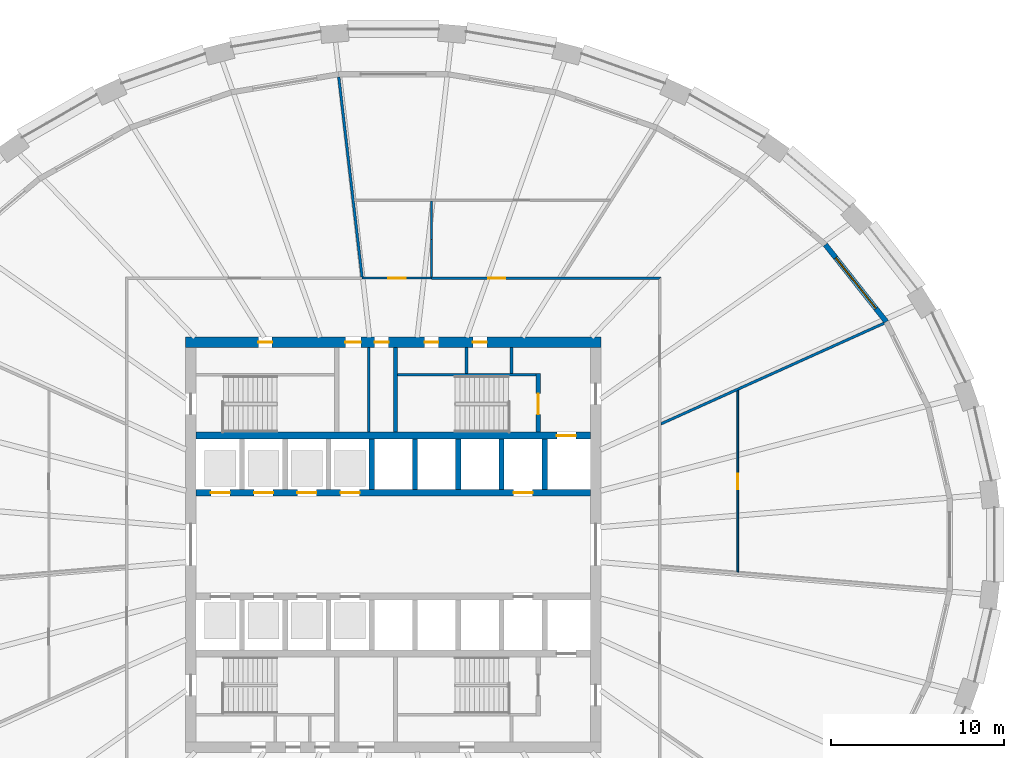
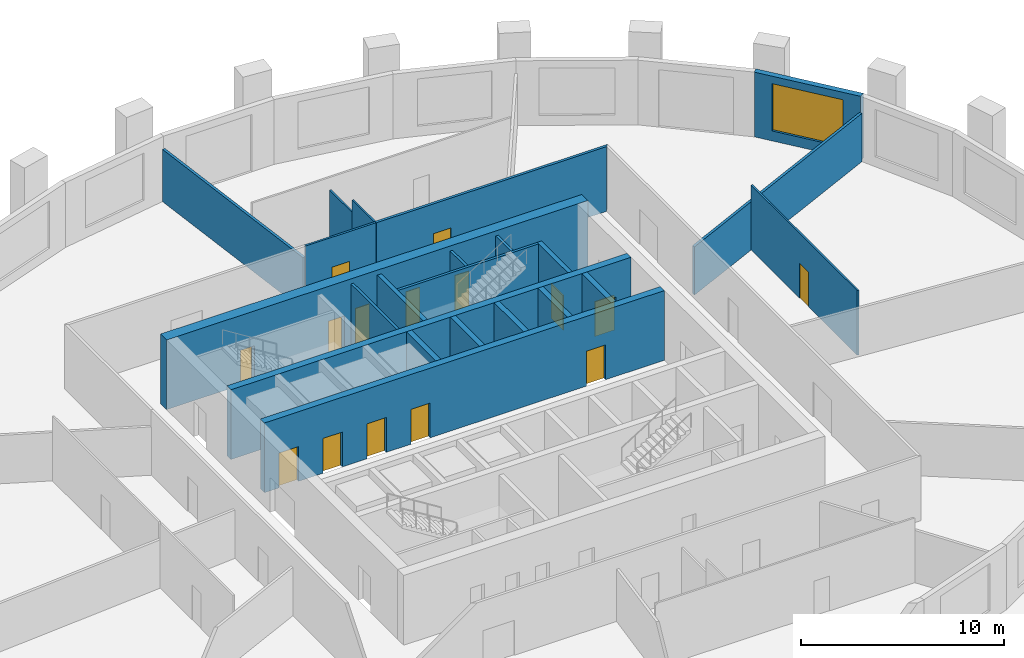
# One storey, part 6 of 10: 22 walls, 15 doors, 1 window, 16 openings.
"""IFC4 building model written with IfcOpenShell, lengths in metres."""

from ifc_helpers import new_model, si_unit, direction, frame, frame_2d, origin, place, context, subcontext, project, spatial, polyline, rectangle, outline, extrude, material, layer, layer_set, type_object, element, fill, save


model = new_model("IFC4")

# Units and contexts
model_context = context("Model", 3, precision=1e-05, world=origin(), true_north=direction((0.0, 1.0)))
body_context = subcontext(model_context, "Body", "Model", "MODEL_VIEW")
ifc_project = project(units=[si_unit("LENGTHUNIT", "METRE"), si_unit("AREAUNIT", "SQUARE_METRE"), si_unit("VOLUMEUNIT", "CUBIC_METRE"), si_unit("PLANEANGLEUNIT", "RADIAN"), si_unit("MASSUNIT", "GRAM", prefix="KILO")], contexts=[model_context])

# Site, building, storey
site_placement = place(None, origin())
site = spatial("IfcSite", under=ifc_project, at=site_placement, CompositionType="ELEMENT")
building_placement = place(site_placement, origin())
building = spatial("IfcBuilding", under=site, at=building_placement, Name="Halqa Exchange Tower", CompositionType="ELEMENT")
storey_placement = place(building_placement, frame((0.0, 0.0, 125.5)))
storey = spatial("IfcBuildingStorey", under=building, at=storey_placement, Name="L28", CompositionType="ELEMENT", Elevation=125.5)

# Wall
ifc_material_1 = material(Name="Fire-rated gypsum board")
ifc_layer_1 = layer(ifc_material_1, 0.14990234375)
ifc_layer_set_1 = layer_set([ifc_layer_1], Name="Fire-rated gypsum board")
wall_type_1 = type_object("IfcWallType", Name="Fire partition EI 60 150", PredefinedType="PARTITIONING", material=ifc_layer_set_1)
wall_1_placement = place(storey_placement, frame((-3.15478515625, 27.019287109375, 0.0), z_axis=(0.0, 0.0, 1.0), x_axis=(0.11582313458, -0.993269853311, 0.0)))
element("IfcWall", 1, at=wall_1_placement, inside=storey, type_object=wall_type_1, Name="L28-PWL-010", PredefinedType="PARTITIONING", context=body_context, shape_type="SweptSolid", body=[
    extrude(outline(polyline([(0.0, -0.074951171875), (1.935546875, -0.074951171875), (3.871337890625, -0.074951171875), (5.806884765625, -0.074951171875), (7.742431640625, -0.074951171875), (9.67822265625, -0.074951171875), (11.61376953125, -0.074951171875), (11.62353515625, 0.008544921875), (11.638427734375, 0.0068359375), (11.64599609375, 0.072021484375), (11.64599609375, 0.074951171875), (9.70556640625, 0.074951171875), (7.765380859375, 0.074951171875), (5.824951171875, 0.074951171875), (3.884521484375, 0.074951171875), (1.9443359375, 0.074951171875), (0.00390625, 0.074951171875), (0.0, 0.04150390625), (0.0, -0.074951171875)])), origin(), (0.0, 0.0, 1.0), 3.14697265625),
])

# Wall, opening, door
wall_2_placement = place(storey_placement, frame((2.2099609375, 15.39990234375, 0.0), z_axis=(0.0, 0.0, 1.0), x_axis=(1.0, 0.0, 0.0)))
wall_2 = element("IfcWall", 2, at=wall_2_placement, inside=storey, type_object=wall_type_1, Name="L28-PWL-017", PredefinedType="PARTITIONING", context=body_context, shape_type="SweptSolid", body=[
    extrude(outline(polyline([(0.0, -0.074951171875), (1.87353515625, -0.074951171875), (3.7470703125, -0.074951171875), (5.62060546875, -0.074951171875), (7.494384765625, -0.074951171875), (9.367919921875, -0.074951171875), (11.241455078125, -0.074951171875), (13.114990234375, -0.074951171875), (13.264892578125, 0.074951171875), (11.369873046875, 0.074951171875), (9.474853515625, 0.074951171875), (7.579833984375, 0.074951171875), (5.68505859375, 0.074951171875), (3.7900390625, 0.074951171875), (1.89501953125, 0.074951171875), (0.0, 0.074951171875), (0.0, -0.074951171875)])), origin(), (0.0, 0.0, 1.0), 3.89990234375),
])
opening_1_placement = place(wall_2_placement, frame((3.264892578125, 0.0, 0.0)))
opening_1 = element("IfcOpeningElement", 3, at=opening_1_placement, cuts=wall_2, Name="Opening 08-05", PredefinedType="OPENING", context=body_context, shape_type="SweptSolid", body=[
    extrude(rectangle(XDim=1.0, YDim=2.10009765625, at=frame_2d((0.5, 1.050048828125))), frame((0.0, 0.0869140625, 0.0), z_axis=(0.0, -1.0, 0.0), x_axis=(1.0, 0.0, 0.0)), (0.0, 0.0, 1.0), 0.173828125),
])
ifc_material_2 = material(Name="Steel fire door leaf", Category="steel")
door_type_1 = type_object("IfcDoorType", Name="Fire door FD30S 1000 x 2100", OperationType="SINGLE_SWING_LEFT", PredefinedType="DOOR", material=ifc_material_2)
door_1_placement = place(opening_1_placement, origin())
door_1 = element("IfcDoor", 4, at=door_1_placement, inside=storey, type_object=door_type_1, Name="L28-IDR-005", OperationType="SINGLE_SWING_RIGHT", OverallHeight=2.10009765625, OverallWidth=1.0, PredefinedType="DOOR", context=body_context, shape_type="SweptSolid", body=[
    extrude(rectangle(XDim=1.0, YDim=2.10009765625, at=frame_2d((0.5, 1.050048828125))), frame((0.0, 0.02490234375, 0.0), z_axis=(0.0, -1.0, 0.0), x_axis=(1.0, 0.0, 0.0)), (0.0, 0.0, 1.0), 0.050048828125),
])
fill(opening_1, door_1)

# Wall
wall_3_placement = place(storey_placement, frame((15.444091796875, 6.969970703125, 0.0), z_axis=(0.0, 0.0, 1.0), x_axis=(0.911543819319, 0.411202949237, 0.0)))
element("IfcWall", 5, at=wall_3_placement, inside=storey, type_object=wall_type_1, Name="L28-PWL-023", PredefinedType="PARTITIONING", context=body_context, shape_type="SweptSolid", body=[
    extrude(outline(polyline([(0.0, -0.074951171875), (1.599853515625, -0.074951171875), (3.19970703125, -0.074951171875), (4.799560546875, -0.074951171875), (4.800537109375, -0.072998046875), (4.804931640625, -0.074951171875), (6.67724609375, -0.074951171875), (8.54931640625, -0.074951171875), (10.42138671875, -0.074951171875), (12.29345703125, -0.074951171875), (14.16552734375, -0.074951171875), (14.16552734375, -0.062744140625), (14.163330078125, 0.00732421875), (14.146484375, 0.074951171875), (12.386474609375, 0.074951171875), (10.626708984375, 0.074951171875), (8.866943359375, 0.074951171875), (7.10693359375, 0.074951171875), (5.34716796875, 0.074951171875), (3.58740234375, 0.074951171875), (1.82763671875, 0.074951171875), (0.067626953125, 0.074951171875), (0.0, -0.074951171875)])), origin(), (0.0, 0.0, 1.0), 2.909912109375),
])

# Wall, opening, door
ifc_material_3 = material(Name="Fire-rated glazing", Category="glass")
ifc_layer_2 = layer(ifc_material_3, 0.1201171875)
ifc_layer_set_2 = layer_set([ifc_layer_2], Name="Fire-rated glazing")
wall_type_2 = type_object("IfcWallType", Name="Glazed fire partition EI 60 120", PredefinedType="PARTITIONING", material=ifc_layer_set_2)
wall_4_placement = place(storey_placement, frame((-1.800048828125, 15.39990234375, 0.0), z_axis=(0.0, 0.0, 1.0), x_axis=(1.0, 0.0, 0.0)))
wall_4 = element("IfcWall", 6, at=wall_4_placement, inside=storey, type_object=wall_type_2, Name="L28-PWL-014", PredefinedType="PARTITIONING", context=body_context, shape_type="SweptSolid", body=[
    extrude(rectangle(XDim=4.010009765625, YDim=0.1201171875, at=frame_2d((2.0048828125, 0.0))), origin(), (0.0, 0.0, 1.0), 3.89990234375),
])
opening_2_placement = place(wall_4_placement, frame((1.5048828125, 0.0, 0.0)))
opening_2 = element("IfcOpeningElement", 7, at=opening_2_placement, cuts=wall_4, Name="Opening 08-06", PredefinedType="OPENING", context=body_context, shape_type="SweptSolid", body=[
    extrude(rectangle(XDim=1.0, YDim=2.10009765625, at=frame_2d((0.5, 1.050048828125))), frame((0.0, 0.072021484375, 0.0), z_axis=(0.0, -1.0, 0.0), x_axis=(1.0, 0.0, 0.0)), (0.0, 0.0, 1.0), 0.14404296875),
])
door_2_placement = place(opening_2_placement, origin())
door_2 = element("IfcDoor", 8, at=door_2_placement, inside=storey, type_object=door_type_1, Name="L28-IDR-006", OperationType="SINGLE_SWING_RIGHT", OverallHeight=2.10009765625, OverallWidth=1.0, PredefinedType="DOOR", context=body_context, shape_type="SweptSolid", body=[
    extrude(rectangle(XDim=1.0, YDim=2.10009765625, at=frame_2d((0.5, 1.050048828125))), frame((0.0, 0.02490234375, 0.0), z_axis=(0.0, -1.0, 0.0), x_axis=(1.0, 0.0, 0.0)), (0.0, 0.0, 1.0), 0.050048828125),
])
fill(opening_2, door_2)

# Wall
ifc_material_4 = material(Name="Gypsum board")
ifc_layer_3 = layer(ifc_material_4, 0.10009765625)
ifc_layer_set_3 = layer_set([ifc_layer_3], Name="Gypsum board")
wall_type_3 = type_object("IfcWallType", Name="Partition 100 gypsum", PredefinedType="PARTITIONING", material=ifc_layer_set_3)
wall_5_placement = place(storey_placement, frame((2.2099609375, 15.46044921875, 0.0), z_axis=(0.0, 0.0, 1.0), x_axis=(0.0, 1.0, 0.0)))
element("IfcWall", 9, at=wall_5_placement, inside=storey, type_object=wall_type_3, Name="L28-PWL-016", PredefinedType="PARTITIONING", context=body_context, shape_type="SweptSolid", body=[
    extrude(outline(polyline([(0.0, 0.050048828125), (0.0, 0.0), (0.0146484375, 0.0), (0.0146484375, -0.050048828125), (2.15673828125, -0.050048828125), (2.15673828125, 0.050048828125), (0.0, 0.050048828125)])), origin(), (0.0, 0.0, 1.0), 3.89990234375),
])

# Wall, opening, door
wall_6_placement = place(storey_placement, frame((19.89990234375, 8.919921875, 0.0), z_axis=(0.0, 0.0, 1.0), x_axis=(0.0, -1.0, 0.0)))
wall_6 = element("IfcWall", 10, at=wall_6_placement, inside=storey, type_object=wall_type_3, Name="L28-PWL-024", PredefinedType="PARTITIONING", context=body_context, shape_type="SweptSolid", body=[
    extrude(outline(polyline([(0.044921875, -0.050048828125), (1.78662109375, -0.050048828125), (3.528564453125, -0.050048828125), (5.2705078125, -0.050048828125), (7.012451171875, -0.050048828125), (8.75439453125, -0.050048828125), (10.49609375, -0.050048828125), (10.50439453125, 0.048095703125), (10.50439453125, 0.050048828125), (8.753662109375, 0.050048828125), (7.0029296875, 0.050048828125), (5.252197265625, 0.050048828125), (3.50146484375, 0.050048828125), (1.750732421875, 0.050048828125), (0.0, 0.050048828125), (0.0, 0.04931640625), (0.044921875, -0.050048828125)])), origin(), (0.0, 0.0, 1.0), 3.89990234375),
])
opening_3_placement = place(wall_6_placement, frame((4.81005859375, 0.0, 0.0)))
opening_3 = element("IfcOpeningElement", 11, at=opening_3_placement, cuts=wall_6, Name="Opening 08-13", PredefinedType="OPENING", context=body_context, shape_type="SweptSolid", body=[
    extrude(rectangle(XDim=0.89990234375, YDim=2.10009765625, at=frame_2d((0.449951171875, 1.050048828125))), frame((0.0, 0.06201171875, 0.0), z_axis=(0.0, -1.0, 0.0), x_axis=(1.0, 0.0, 0.0)), (0.0, 0.0, 1.0), 0.1240234375),
])
ifc_material_5 = material(Name="Timber door leaf", Category="wood")
door_type_2 = type_object("IfcDoorType", Name="Door 900 x 2100", OperationType="SINGLE_SWING_LEFT", PredefinedType="DOOR", material=ifc_material_5)
door_3_placement = place(opening_3_placement, frame((0.89990234375, 0.0, 0.0), z_axis=(0.0, 0.0, 1.0), x_axis=(-1.0, 0.0, 0.0)))
door_3 = element("IfcDoor", 12, at=door_3_placement, inside=storey, type_object=door_type_2, Name="L28-IDR-013", OperationType="SINGLE_SWING_LEFT", OverallHeight=2.10009765625, OverallWidth=0.89990234375, PredefinedType="DOOR", context=body_context, shape_type="SweptSolid", body=[
    extrude(rectangle(XDim=0.89990234375, YDim=2.10009765625, at=frame_2d((0.449951171875, 1.050048828125))), frame((0.0, 0.02490234375, 0.0), z_axis=(0.0, -1.0, 0.0), x_axis=(1.0, 0.0, 0.0)), (0.0, 0.0, 1.0), 0.050048828125),
])
fill(opening_3, door_3)

# Walls
wall_7_placement = place(storey_placement, frame((2.2099609375, 17.6171875, 0.0), z_axis=(0.0, 0.0, 1.0), x_axis=(0.0, 1.0, 0.0)))
element("IfcWall", 13, at=wall_7_placement, inside=storey, type_object=wall_type_3, Name="L28-PWL-026", PredefinedType="PARTITIONING", context=body_context, shape_type="SweptSolid", body=[
    extrude(outline(polyline([(0.0, -0.050048828125), (2.23291015625, -0.050048828125), (2.23291015625, 0.050048828125), (0.0, 0.050048828125), (0.0, -0.050048828125)])), origin(), (0.0, 0.0, 1.0), 3.14697265625),
])
ifc_layer_4 = layer(ifc_material_4, 0.14990234375)
ifc_layer_set_4 = layer_set([ifc_layer_4], Name="Gypsum board")
wall_type_4 = type_object("IfcWallType", Name="Penthouse riser wall 150 gypsum", PredefinedType="PARTITIONING", material=ifc_layer_set_4)
wall_8_placement = place(storey_placement, frame((-1.425048828125, 6.5, 0.0), z_axis=(0.0, 0.0, 1.0), x_axis=(0.0, 1.0, 0.0)))
element("IfcWall", 14, at=wall_8_placement, inside=storey, type_object=wall_type_4, Name="Partition W1.425 N", PredefinedType="PARTITIONING", context=body_context, shape_type="SweptSolid", body=[
    extrude(rectangle(XDim=4.89990234375, YDim=0.14990234375, at=frame_2d((2.449951171875, 0.0))), origin(), (0.0, 0.0, 1.0), 3.89990234375),
])
for number, where, z_axis, x_axis, name in (
    (15, (4.22509765625, 9.89990234375, 0.0), (0.0, 0.0, 1.0), (0.0, 1.0, 0.0), "Partition E4.225 N"),
    (16, (6.824951171875, 9.89990234375, 0.0), (0.0, 0.0, 1.0), (0.0, 1.0, 0.0), "Firefighting lobby west wall N"),
):
    element("IfcWall", number, at=place(storey_placement, frame(where, z_axis=z_axis, x_axis=x_axis)), inside=storey, type_object=wall_type_4, Name=name, PredefinedType="PARTITIONING", context=body_context, shape_type="SweptSolid", body=[
        extrude(rectangle(XDim=1.5, YDim=0.14990234375, at=frame_2d((0.75, 0.0))), origin(), (0.0, 0.0, 1.0), 3.89990234375),
    ])
ifc_material_6 = material(Name="Concrete C60/75", Category="concrete")
ifc_layer_5 = layer(ifc_material_6, 0.300048828125)
ifc_layer_set_5 = layer_set([ifc_layer_5], Name="Concrete C60/75")
wall_type_5 = type_object("IfcWallType", Name="RC core wall 300", PredefinedType="SHEAR", material=ifc_layer_set_5)
for number, where, z_axis, x_axis, name in (
    (17, (-1.25, 3.199951171875, 0.0), (0.0, 0.0, 1.0), (0.0, 1.0, 0.0), "Shaft divider N4"),
    (18, (1.25, 3.199951171875, 0.0), (0.0, 0.0, 1.0), (0.0, 1.0, 0.0), "Shaft divider N5"),
    (19, (3.75, 3.199951171875, 0.0), (0.0, 0.0, 1.0), (0.0, 1.0, 0.0), "Shaft divider N6"),
    (20, (6.25, 3.199951171875, 0.0), (0.0, 0.0, 1.0), (0.0, 1.0, 0.0), "Shaft divider N7"),
    (21, (8.75, 3.199951171875, 0.0), (0.0, 0.0, 1.0), (0.0, 1.0, 0.0), "Shaft divider N8"),
):
    element("IfcWall", number, at=place(storey_placement, frame(where, z_axis=z_axis, x_axis=x_axis)), inside=storey, type_object=wall_type_5, Name=name, PredefinedType="SHEAR", context=body_context, shape_type="SweptSolid", body=[
        extrude(rectangle(XDim=2.900146484375, YDim=0.300048828125, at=frame_2d((1.4501953125, 0.0))), origin(), (0.0, 0.0, 1.0), 4.199951171875),
    ])

# Wall, openings, doors
ifc_material_7 = material(Name="Concrete C70/85", Category="concrete")
ifc_layer_6 = layer(ifc_material_7, 0.39990234375)
ifc_layer_set_6 = layer_set([ifc_layer_6], Name="Concrete C70/85")
wall_type_6 = type_object("IfcWallType", Name="RC core wall 400 C70/85", PredefinedType="SHEAR", material=ifc_layer_set_6)
wall_9_placement = place(storey_placement, frame((-11.39990234375, 3.0, 0.0), z_axis=(0.0, 0.0, 1.0), x_axis=(1.0, 0.0, 0.0)))
wall_9 = element("IfcWall", 22, at=wall_9_placement, inside=storey, type_object=wall_type_6, Name="Lift row front wall N", PredefinedType="SHEAR", context=body_context, shape_type="SweptSolid", body=[
    extrude(rectangle(XDim=22.7998046875, YDim=0.39990234375, at=frame_2d((11.39990234375, 0.0))), origin(), (0.0, 0.0, 1.0), 4.199951171875),
])
opening_4_placement = place(wall_9_placement, frame((0.85009765625, 0.0, 0.0)))
opening_4 = element("IfcOpeningElement", 23, at=opening_4_placement, cuts=wall_9, Name="Opening LD-LR1-T08", PredefinedType="OPENING", context=body_context, shape_type="SweptSolid", body=[
    extrude(rectangle(XDim=1.10009765625, YDim=2.10009765625, at=frame_2d((0.550048828125, 1.050048828125))), frame((0.0, 0.2119140625, 0.0), z_axis=(0.0, -1.0, 0.0), x_axis=(1.0, 0.0, 0.0)), (0.0, 0.0, 1.0), 0.423828125),
])
opening_5_placement = place(wall_9_placement, frame((3.35009765625, 0.0, 0.0)))
opening_5 = element("IfcOpeningElement", 24, at=opening_5_placement, cuts=wall_9, Name="Opening LD-LR2-T08", PredefinedType="OPENING", context=body_context, shape_type="SweptSolid", body=[
    extrude(rectangle(XDim=1.10009765625, YDim=2.10009765625, at=frame_2d((0.550048828125, 1.050048828125))), frame((0.0, 0.2119140625, 0.0), z_axis=(0.0, -1.0, 0.0), x_axis=(1.0, 0.0, 0.0)), (0.0, 0.0, 1.0), 0.423828125),
])
opening_6_placement = place(wall_9_placement, frame((5.85009765625, 0.0, 0.0)))
opening_6 = element("IfcOpeningElement", 25, at=opening_6_placement, cuts=wall_9, Name="Opening LD-LR3-T08", PredefinedType="OPENING", context=body_context, shape_type="SweptSolid", body=[
    extrude(rectangle(XDim=1.10009765625, YDim=2.10009765625, at=frame_2d((0.550048828125, 1.050048828125))), frame((0.0, 0.2119140625, 0.0), z_axis=(0.0, -1.0, 0.0), x_axis=(1.0, 0.0, 0.0)), (0.0, 0.0, 1.0), 0.423828125),
])
opening_7_placement = place(wall_9_placement, frame((8.35009765625, 0.0, 0.0)))
opening_7 = element("IfcOpeningElement", 26, at=opening_7_placement, cuts=wall_9, Name="Opening LD-LR4-T08", PredefinedType="OPENING", context=body_context, shape_type="SweptSolid", body=[
    extrude(rectangle(XDim=1.10009765625, YDim=2.10009765625, at=frame_2d((0.550048828125, 1.050048828125))), frame((0.0, 0.2119140625, 0.0), z_axis=(0.0, -1.0, 0.0), x_axis=(1.0, 0.0, 0.0)), (0.0, 0.0, 1.0), 0.423828125),
])
opening_8_placement = place(wall_9_placement, frame((18.35009765625, 0.0, 0.0)))
opening_8 = element("IfcOpeningElement", 27, at=opening_8_placement, cuts=wall_9, Name="Opening LD-SV1-T08", PredefinedType="OPENING", context=body_context, shape_type="SweptSolid", body=[
    extrude(rectangle(XDim=1.10009765625, YDim=2.10009765625, at=frame_2d((0.550048828125, 1.050048828125))), frame((0.0, 0.2119140625, 0.0), z_axis=(0.0, -1.0, 0.0), x_axis=(1.0, 0.0, 0.0)), (0.0, 0.0, 1.0), 0.423828125),
])
ifc_material_8 = material(Name="Stainless steel", Category="steel")
door_type_3 = type_object("IfcDoorType", Name="Lift landing door 1100 x 2100", OperationType="SLIDING_TO_LEFT", PredefinedType="DOOR", material=ifc_material_8)
door_4_placement = place(opening_4_placement, origin())
door_4 = element("IfcDoor", 28, at=door_4_placement, inside=storey, type_object=door_type_3, Name="Lift landing door LR1", OperationType="SLIDING_TO_LEFT", OverallHeight=2.10009765625, OverallWidth=1.10009765625, PredefinedType="DOOR", context=body_context, shape_type="SweptSolid", body=[
    extrude(rectangle(XDim=1.10009765625, YDim=2.10009765625, at=frame_2d((0.550048828125, 1.050048828125))), frame((0.0, 0.02490234375, 0.0), z_axis=(0.0, -1.0, 0.0), x_axis=(1.0, 0.0, 0.0)), (0.0, 0.0, 1.0), 0.050048828125),
])
fill(opening_4, door_4)
door_5_placement = place(opening_5_placement, origin())
door_5 = element("IfcDoor", 29, at=door_5_placement, inside=storey, type_object=door_type_3, Name="Lift landing door LR2", OperationType="SLIDING_TO_LEFT", OverallHeight=2.10009765625, OverallWidth=1.10009765625, PredefinedType="DOOR", context=body_context, shape_type="SweptSolid", body=[
    extrude(rectangle(XDim=1.10009765625, YDim=2.10009765625, at=frame_2d((0.550048828125, 1.050048828125))), frame((0.0, 0.02490234375, 0.0), z_axis=(0.0, -1.0, 0.0), x_axis=(1.0, 0.0, 0.0)), (0.0, 0.0, 1.0), 0.050048828125),
])
fill(opening_5, door_5)
door_6_placement = place(opening_6_placement, origin())
door_6 = element("IfcDoor", 30, at=door_6_placement, inside=storey, type_object=door_type_3, Name="Lift landing door LR3", OperationType="SLIDING_TO_LEFT", OverallHeight=2.10009765625, OverallWidth=1.10009765625, PredefinedType="DOOR", context=body_context, shape_type="SweptSolid", body=[
    extrude(rectangle(XDim=1.10009765625, YDim=2.10009765625, at=frame_2d((0.550048828125, 1.050048828125))), frame((0.0, 0.02490234375, 0.0), z_axis=(0.0, -1.0, 0.0), x_axis=(1.0, 0.0, 0.0)), (0.0, 0.0, 1.0), 0.050048828125),
])
fill(opening_6, door_6)
door_7_placement = place(opening_7_placement, origin())
door_7 = element("IfcDoor", 31, at=door_7_placement, inside=storey, type_object=door_type_3, Name="Lift landing door LR4", OperationType="SLIDING_TO_LEFT", OverallHeight=2.10009765625, OverallWidth=1.10009765625, PredefinedType="DOOR", context=body_context, shape_type="SweptSolid", body=[
    extrude(rectangle(XDim=1.10009765625, YDim=2.10009765625, at=frame_2d((0.550048828125, 1.050048828125))), frame((0.0, 0.02490234375, 0.0), z_axis=(0.0, -1.0, 0.0), x_axis=(1.0, 0.0, 0.0)), (0.0, 0.0, 1.0), 0.050048828125),
])
fill(opening_7, door_7)
door_8_placement = place(opening_8_placement, origin())
door_8 = element("IfcDoor", 32, at=door_8_placement, inside=storey, type_object=door_type_3, Name="Lift landing door SV1", OperationType="SLIDING_TO_LEFT", OverallHeight=2.10009765625, OverallWidth=1.10009765625, PredefinedType="DOOR", context=body_context, shape_type="SweptSolid", body=[
    extrude(rectangle(XDim=1.10009765625, YDim=2.10009765625, at=frame_2d((0.550048828125, 1.050048828125))), frame((0.0, 0.02490234375, 0.0), z_axis=(0.0, -1.0, 0.0), x_axis=(1.0, 0.0, 0.0)), (0.0, 0.0, 1.0), 0.050048828125),
])
fill(opening_8, door_8)

# Wall, opening, door
wall_10_placement = place(storey_placement, frame((-11.39990234375, 6.300048828125, 0.0), z_axis=(0.0, 0.0, 1.0), x_axis=(1.0, 0.0, 0.0)))
wall_10 = element("IfcWall", 33, at=wall_10_placement, inside=storey, type_object=wall_type_6, Name="Lift row back wall N", PredefinedType="SHEAR", context=body_context, shape_type="SweptSolid", body=[
    extrude(rectangle(XDim=22.7998046875, YDim=0.39990234375, at=frame_2d((11.39990234375, 0.0))), origin(), (0.0, 0.0, 1.0), 4.199951171875),
])
opening_9_placement = place(wall_10_placement, frame((20.85009765625, 0.0, 0.0)))
opening_9 = element("IfcOpeningElement", 34, at=opening_9_placement, cuts=wall_10, Name="Opening LD-FF1-T08", PredefinedType="OPENING", context=body_context, shape_type="SweptSolid", body=[
    extrude(rectangle(XDim=1.10009765625, YDim=2.10009765625, at=frame_2d((0.550048828125, 1.050048828125))), frame((0.0, 0.2119140625, 0.0), z_axis=(0.0, -1.0, 0.0), x_axis=(1.0, 0.0, 0.0)), (0.0, 0.0, 1.0), 0.423828125),
])
door_9_placement = place(opening_9_placement, origin())
door_9 = element("IfcDoor", 35, at=door_9_placement, inside=storey, type_object=door_type_3, Name="Lift landing door FF1", OperationType="SLIDING_TO_LEFT", OverallHeight=2.10009765625, OverallWidth=1.10009765625, PredefinedType="DOOR", context=body_context, shape_type="SweptSolid", body=[
    extrude(rectangle(XDim=1.10009765625, YDim=2.10009765625, at=frame_2d((0.550048828125, 1.050048828125))), frame((0.0, 0.02490234375, 0.0), z_axis=(0.0, -1.0, 0.0), x_axis=(1.0, 0.0, 0.0)), (0.0, 0.0, 1.0), 0.050048828125),
])
fill(opening_9, door_9)

# Wall, openings, doors
ifc_layer_7 = layer(ifc_material_7, 0.60009765625)
ifc_layer_set_7 = layer_set([ifc_layer_7], Name="Concrete C70/85")
wall_type_7 = type_object("IfcWallType", Name="RC core wall 600 C70/85", PredefinedType="SHEAR", material=ifc_layer_set_7)
wall_11_placement = place(storey_placement, frame((-12.0, 11.699951171875, 0.0), z_axis=(0.0, 0.0, 1.0), x_axis=(1.0, 0.0, 0.0)))
wall_11 = element("IfcWall", 36, at=wall_11_placement, inside=storey, type_object=wall_type_7, Name="Core wall north", PredefinedType="SHEAR", context=body_context, shape_type="SweptSolid", body=[
    extrude(rectangle(XDim=24.0, YDim=0.60009765625, at=frame_2d((12.0, 0.0))), origin(), (0.0, 0.0, 1.0), 4.199951171875),
])
opening_10_placement = place(wall_11_placement, frame((9.22509765625, 0.0, 0.0)))
opening_10 = element("IfcOpeningElement", 37, at=opening_10_placement, cuts=wall_11, Name="Opening T08-C21", PredefinedType="OPENING", context=body_context, shape_type="SweptSolid", body=[
    extrude(rectangle(XDim=0.89990234375, YDim=2.10009765625, at=frame_2d((0.449951171875, 1.050048828125))), frame((0.0, 0.31201171875, 0.0), z_axis=(0.0, -1.0, 0.0), x_axis=(1.0, 0.0, 0.0)), (0.0, 0.0, 1.0), 0.6240234375),
])
opening_11_placement = place(wall_11_placement, frame((10.925048828125, 0.0, 0.0)))
opening_11 = element("IfcOpeningElement", 38, at=opening_11_placement, cuts=wall_11, Name="Opening T08-C22", PredefinedType="OPENING", context=body_context, shape_type="SweptSolid", body=[
    extrude(rectangle(XDim=0.800048828125, YDim=2.10009765625, at=frame_2d((0.39990234375, 1.050048828125))), frame((0.0, 0.31201171875, 0.0), z_axis=(0.0, -1.0, 0.0), x_axis=(1.0, 0.0, 0.0)), (0.0, 0.0, 1.0), 0.6240234375),
])
opening_12_placement = place(wall_11_placement, frame((4.199951171875, 0.0, 0.0)))
opening_12 = element("IfcOpeningElement", 39, at=opening_12_placement, cuts=wall_11, Name="Opening T08-C23", PredefinedType="OPENING", context=body_context, shape_type="SweptSolid", body=[
    extrude(rectangle(XDim=0.800048828125, YDim=2.10009765625, at=frame_2d((0.39990234375, 1.050048828125))), frame((0.0, 0.31201171875, 0.0), z_axis=(0.0, -1.0, 0.0), x_axis=(1.0, 0.0, 0.0)), (0.0, 0.0, 1.0), 0.6240234375),
])
opening_13_placement = place(wall_11_placement, frame((13.800048828125, 0.0, 0.0)))
opening_13 = element("IfcOpeningElement", 40, at=opening_13_placement, cuts=wall_11, Name="Opening T08-C24", PredefinedType="OPENING", context=body_context, shape_type="SweptSolid", body=[
    extrude(rectangle(XDim=0.800048828125, YDim=2.10009765625, at=frame_2d((0.39990234375, 1.050048828125))), frame((0.0, 0.31201171875, 0.0), z_axis=(0.0, -1.0, 0.0), x_axis=(1.0, 0.0, 0.0)), (0.0, 0.0, 1.0), 0.6240234375),
])
opening_14_placement = place(wall_11_placement, frame((16.60009765625, 0.0, 0.0)))
opening_14 = element("IfcOpeningElement", 41, at=opening_14_placement, cuts=wall_11, Name="Opening T08-C25", PredefinedType="OPENING", context=body_context, shape_type="SweptSolid", body=[
    extrude(rectangle(XDim=0.800048828125, YDim=2.10009765625, at=frame_2d((0.39990234375, 1.050048828125))), frame((0.0, 0.31201171875, 0.0), z_axis=(0.0, -1.0, 0.0), x_axis=(1.0, 0.0, 0.0)), (0.0, 0.0, 1.0), 0.6240234375),
])
ifc_material_9 = material(Name="Timber fire door leaf", Category="wood")
door_type_4 = type_object("IfcDoorType", Name="Core room door FD30 900 x 2100", OperationType="SINGLE_SWING_LEFT", PredefinedType="DOOR", material=ifc_material_9)
door_10_placement = place(opening_10_placement, frame((0.89990234375, 0.0, 0.0), z_axis=(0.0, 0.0, 1.0), x_axis=(-1.0, 0.0, 0.0)))
door_10 = element("IfcDoor", 42, at=door_10_placement, inside=storey, type_object=door_type_4, Name="Core room door", OperationType="SINGLE_SWING_RIGHT", OverallHeight=2.10009765625, OverallWidth=0.89990234375, PredefinedType="DOOR", context=body_context, shape_type="SweptSolid", body=[
    extrude(rectangle(XDim=0.89990234375, YDim=2.10009765625, at=frame_2d((0.449951171875, 1.050048828125))), frame((0.0, 0.02490234375, 0.0), z_axis=(0.0, -1.0, 0.0), x_axis=(1.0, 0.0, 0.0)), (0.0, 0.0, 1.0), 0.050048828125),
])
fill(opening_10, door_10)
door_type_5 = type_object("IfcDoorType", Name="Riser door FD60 800 x 2100", OperationType="SINGLE_SWING_LEFT", PredefinedType="DOOR", material=ifc_material_2)
door_11_placement = place(opening_11_placement, frame((0.800048828125, 0.0, 0.0), z_axis=(0.0, 0.0, 1.0), x_axis=(-1.0, 0.0, 0.0)))
door_11 = element("IfcDoor", 43, at=door_11_placement, inside=storey, type_object=door_type_5, Name="Core room door", OperationType="SINGLE_SWING_RIGHT", OverallHeight=2.10009765625, OverallWidth=0.800048828125, PredefinedType="DOOR", context=body_context, shape_type="SweptSolid", body=[
    extrude(rectangle(XDim=0.800048828125, YDim=2.10009765625, at=frame_2d((0.39990234375, 1.050048828125))), frame((0.0, 0.02490234375, 0.0), z_axis=(0.0, -1.0, 0.0), x_axis=(1.0, 0.0, 0.0)), (0.0, 0.0, 1.0), 0.050048828125),
])
fill(opening_11, door_11)
door_12_placement = place(opening_12_placement, frame((0.800048828125, 0.0, 0.0), z_axis=(0.0, 0.0, 1.0), x_axis=(-1.0, 0.0, 0.0)))
door_12 = element("IfcDoor", 44, at=door_12_placement, inside=storey, type_object=door_type_5, Name="Core room door", OperationType="SINGLE_SWING_RIGHT", OverallHeight=2.10009765625, OverallWidth=0.800048828125, PredefinedType="DOOR", context=body_context, shape_type="SweptSolid", body=[
    extrude(rectangle(XDim=0.800048828125, YDim=2.10009765625, at=frame_2d((0.39990234375, 1.050048828125))), frame((0.0, 0.02490234375, 0.0), z_axis=(0.0, -1.0, 0.0), x_axis=(1.0, 0.0, 0.0)), (0.0, 0.0, 1.0), 0.050048828125),
])
fill(opening_12, door_12)
door_13_placement = place(opening_13_placement, frame((0.800048828125, 0.0, 0.0), z_axis=(0.0, 0.0, 1.0), x_axis=(-1.0, 0.0, 0.0)))
door_13 = element("IfcDoor", 45, at=door_13_placement, inside=storey, type_object=door_type_5, Name="Core room door", OperationType="SINGLE_SWING_LEFT", OverallHeight=2.10009765625, OverallWidth=0.800048828125, PredefinedType="DOOR", context=body_context, shape_type="SweptSolid", body=[
    extrude(rectangle(XDim=0.800048828125, YDim=2.10009765625, at=frame_2d((0.39990234375, 1.050048828125))), frame((0.0, 0.02490234375, 0.0), z_axis=(0.0, -1.0, 0.0), x_axis=(1.0, 0.0, 0.0)), (0.0, 0.0, 1.0), 0.050048828125),
])
fill(opening_13, door_13)
door_14_placement = place(opening_14_placement, frame((0.800048828125, 0.0, 0.0), z_axis=(0.0, 0.0, 1.0), x_axis=(-1.0, 0.0, 0.0)))
door_14 = element("IfcDoor", 46, at=door_14_placement, inside=storey, type_object=door_type_5, Name="Core room door", OperationType="SINGLE_SWING_LEFT", OverallHeight=2.10009765625, OverallWidth=0.800048828125, PredefinedType="DOOR", context=body_context, shape_type="SweptSolid", body=[
    extrude(rectangle(XDim=0.800048828125, YDim=2.10009765625, at=frame_2d((0.39990234375, 1.050048828125))), frame((0.0, 0.02490234375, 0.0), z_axis=(0.0, -1.0, 0.0), x_axis=(1.0, 0.0, 0.0)), (0.0, 0.0, 1.0), 0.050048828125),
])
fill(opening_14, door_14)

# Walls
ifc_material_10 = material(Name="Concrete C30/37", Category="concrete")
ifc_layer_8 = layer(ifc_material_10, 0.14990234375)
ifc_layer_set_8 = layer_set([ifc_layer_8], Name="Concrete C30/37")
wall_type_8 = type_object("IfcWallType", Name="RC stair wall 150 C30/37", PredefinedType="SHEAR", material=ifc_layer_set_8)
wall_12_placement = place(storey_placement, frame((0.25, 9.824951171875, 0.0), z_axis=(0.0, 0.0, 1.0), x_axis=(1.0, 0.0, 0.0)))
element("IfcWall", 47, at=wall_12_placement, inside=storey, type_object=wall_type_8, Name="Stair ST2 north wall N", PredefinedType="SHEAR", context=body_context, shape_type="SweptSolid", body=[
    extrude(rectangle(XDim=8.0, YDim=0.14990234375, at=frame_2d((4.0, 0.0))), origin(), (0.0, 0.0, 1.0), 3.89990234375),
])
ifc_layer_9 = layer(ifc_material_10, 0.25)
ifc_layer_set_9 = layer_set([ifc_layer_9], Name="Concrete C30/37")
wall_type_9 = type_object("IfcWallType", Name="RC stair wall 250 C30/37", PredefinedType="SHEAR", material=ifc_layer_set_9)
wall_13_placement = place(storey_placement, frame((0.125, 6.5, 0.0), z_axis=(0.0, 0.0, 1.0), x_axis=(0.0, 1.0, 0.0)))
element("IfcWall", 48, at=wall_13_placement, inside=storey, type_object=wall_type_9, Name="Stair ST2 west wall N", PredefinedType="SHEAR", context=body_context, shape_type="SweptSolid", body=[
    extrude(rectangle(XDim=4.89990234375, YDim=0.25, at=frame_2d((2.449951171875, 0.0))), origin(), (0.0, 0.0, 1.0), 3.89990234375),
])

# Wall, opening, door
wall_14_placement = place(storey_placement, frame((8.375, 6.5, 0.0), z_axis=(0.0, 0.0, 1.0), x_axis=(0.0, 1.0, 0.0)))
wall_14 = element("IfcWall", 49, at=wall_14_placement, inside=storey, type_object=wall_type_9, Name="Stair ST2 east wall N", PredefinedType="SHEAR", context=body_context, shape_type="SweptSolid", body=[
    extrude(rectangle(XDim=3.39990234375, YDim=0.25, at=frame_2d((1.699951171875, 0.0))), origin(), (0.0, 0.0, 1.0), 3.89990234375),
])
opening_15_placement = place(wall_14_placement, frame((1.02490234375, 0.0, 0.0)))
opening_15 = element("IfcOpeningElement", 50, at=opening_15_placement, cuts=wall_14, Name="Opening T08-C16", PredefinedType="OPENING", context=body_context, shape_type="SweptSolid", body=[
    extrude(rectangle(XDim=1.199951171875, YDim=2.10009765625, at=frame_2d((0.60009765625, 1.050048828125))), frame((0.0, 0.136962890625, 0.0), z_axis=(0.0, -1.0, 0.0), x_axis=(1.0, 0.0, 0.0)), (0.0, 0.0, 1.0), 0.27392578125),
])
door_type_6 = type_object("IfcDoorType", Name="Stair door FD90 1200 x 2100", OperationType="SINGLE_SWING_LEFT", PredefinedType="DOOR", material=ifc_material_2)
door_15_placement = place(opening_15_placement, origin())
door_15 = element("IfcDoor", 51, at=door_15_placement, inside=storey, type_object=door_type_6, Name="Stair door ST2", OperationType="SINGLE_SWING_LEFT", OverallHeight=2.10009765625, OverallWidth=1.199951171875, PredefinedType="DOOR", context=body_context, shape_type="SweptSolid", body=[
    extrude(rectangle(XDim=1.199951171875, YDim=2.10009765625, at=frame_2d((0.60009765625, 1.050048828125))), frame((0.0, 0.02490234375, 0.0), z_axis=(0.0, -1.0, 0.0), x_axis=(1.0, 0.0, 0.0)), (0.0, 0.0, 1.0), 0.050048828125),
])
fill(opening_15, door_15)

# Wall, opening, window
ifc_material_11 = material(Name="Limestone cladding", Category="masonry")
ifc_layer_10 = layer(ifc_material_11, 0.0400390625)
ifc_material_12 = material(Name="Ventilated cavity")
ifc_layer_11 = layer(ifc_material_12, 0.030029296875, ventilated=True)
ifc_material_13 = material(Name="Mineral wool insulation")
ifc_layer_12 = layer(ifc_material_13, 0.10009765625)
ifc_layer_13 = layer(ifc_material_10, 0.10009765625)
ifc_material_14 = material(Name="Internal plaster")
ifc_layer_14 = layer(ifc_material_14, 0.030029296875)
ifc_layer_set_10 = layer_set([ifc_layer_10, ifc_layer_11, ifc_layer_12, ifc_layer_13, ifc_layer_14], Name="Stone-faced insulated wall 300")
wall_type_10 = type_object("IfcWallType", Name="Stone-faced insulated wall 300", PredefinedType="STANDARD", material=ifc_layer_set_10)
wall_15_placement = place(storey_placement, frame((28.47900390625, 12.881103515625, 0.0), z_axis=(0.0, 0.0, 1.0), x_axis=(-0.62038332391, 0.784298751379, 0.0)))
wall_15 = element("IfcWall", 52, at=wall_15_placement, inside=storey, type_object=wall_type_10, Name="Glass-line wall 3", PredefinedType="STANDARD", context=body_context, shape_type="SweptSolid", body=[
    extrude(outline(polyline([(-0.01611328125, -0.14990234375), (5.68994140625, -0.14990234375), (5.65966796875, 0.14990234375), (0.01611328125, 0.14990234375), (-0.01611328125, -0.14990234375)])), origin(), (0.0, 0.0, 1.0), 3.89990234375),
])
opening_16_placement = place(wall_15_placement, frame((0.96240234375, 0.0, 0.60009765625)))
opening_16 = element("IfcOpeningElement", 53, at=opening_16_placement, cuts=wall_15, Name="Opening W-F2-03", PredefinedType="OPENING", context=body_context, shape_type="SweptSolid", body=[
    extrude(rectangle(XDim=3.75, YDim=2.85009765625, at=frame_2d((1.875, 1.425048828125))), frame((0.0, 0.162109375, 0.0), z_axis=(0.0, -1.0, 0.0), x_axis=(1.0, 0.0, 0.0)), (0.0, 0.0, 1.0), 0.323974609375),
])
ifc_material_15 = material(Name="Clear low-emissivity glass in aluminium frame", Category="aluminium")
window_type = type_object("IfcWindowType", Name="Fixed clear glazed window 3750 x 2850", PartitioningType="TRIPLE_PANEL_VERTICAL", PredefinedType="WINDOW", material=ifc_material_15)
window_placement = place(opening_16_placement, origin())
window = element("IfcWindow", 54, at=window_placement, inside=storey, type_object=window_type, Name="Window 2", OverallHeight=2.85009765625, OverallWidth=3.75, PartitioningType="TRIPLE_PANEL_VERTICAL", PredefinedType="WINDOW", context=body_context, shape_type="SweptSolid", body=[
    extrude(rectangle(XDim=3.75, YDim=2.85009765625, at=frame_2d((1.875, 1.425048828125))), frame((0.0, 0.030029296875, 0.0), z_axis=(0.0, -1.0, 0.0), x_axis=(1.0, 0.0, 0.0)), (0.0, 0.0, 1.0), 0.06005859375),
])
fill(opening_16, window)

save(model, "model.ifc")
